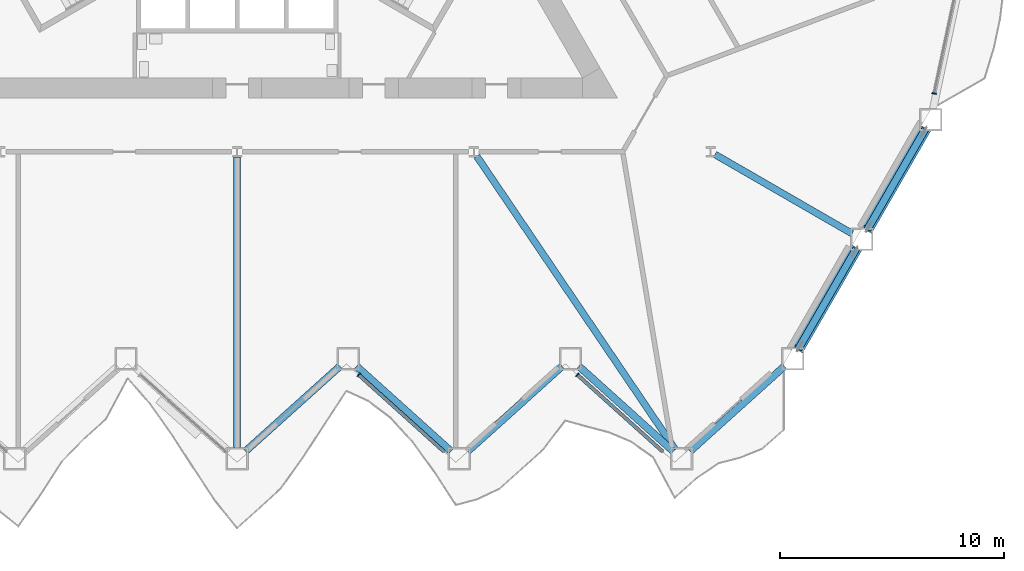
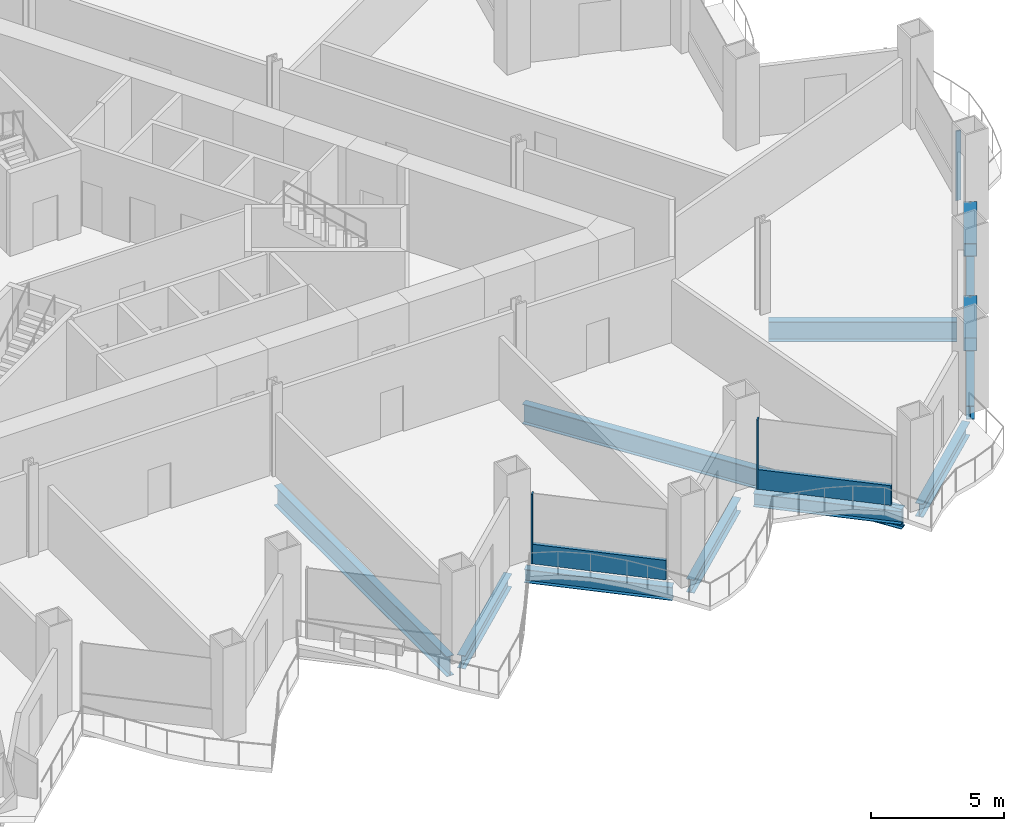
# One storey, part 4 of 20: 10 beams, 7 members, 3 elements without a shape of their own.
"""IFC4 building model written with IfcOpenShell, lengths in metres."""

from ifc_helpers import new_model, si_unit, direction, frame, origin, origin_2d, place, context, subcontext, project, spatial, rectangle, hollow_rectangle, i_section, extrude, material, layer, layer_set, material_profile, profile_set, type_object, element, aggregate, save


model = new_model("IFC4")

# Units and contexts
model_context = context("Model", 3, precision=1e-05, world=origin(), true_north=direction((0.0, 1.0)))
body_context = subcontext(model_context, "Body", "Model", "MODEL_VIEW")
ifc_project = project(units=[si_unit("LENGTHUNIT", "METRE"), si_unit("AREAUNIT", "SQUARE_METRE"), si_unit("VOLUMEUNIT", "CUBIC_METRE"), si_unit("PLANEANGLEUNIT", "RADIAN"), si_unit("MASSUNIT", "GRAM", prefix="KILO")], contexts=[model_context])

# Site, building, storey
site_placement = place(None, origin())
site = spatial("IfcSite", under=ifc_project, at=site_placement, CompositionType="ELEMENT")
building_placement = place(site_placement, origin())
building = spatial("IfcBuilding", under=site, at=building_placement, Name="Cormorant Prow Tower", CompositionType="ELEMENT")
storey_placement = place(building_placement, frame((0.0, 0.0, 59.39990234375)))
storey = spatial("IfcBuildingStorey", under=building, at=storey_placement, Name="L12", CompositionType="ELEMENT", Elevation=59.39990234375)

# Members
ifc_material_1 = material(Name="Structural steel ASTM A500 Gr C", Category="steel")
ifc_material_profile_1 = material_profile(ifc_material_1, hollow_rectangle(XDim=0.508056640625, YDim=0.508056640625, WallThickness=0.014892578125, at=origin_2d()), Name="HSS20x20x5/8")
ifc_profile_set_1 = profile_set([ifc_material_profile_1], Name="Structural steel ASTM A500 Gr C")
member_type_1 = type_object("IfcMemberType", Name="Chamfer brace HSS20x20x5/8", PredefinedType="BRACE", material=ifc_profile_set_1)
member_1_placement = place(storey_placement, frame((27.65576171875, -16.566162109375, 0.767333984375), z_axis=(-0.47589308504, -0.824244468952, 0.306833549359), x_axis=(0.866018434186, -0.500012071504, 0.0)))
element("IfcMember", 1, at=member_1_placement, inside=storey, type_object=member_type_1, Name="Chamfer brace BR1 at ESE00 L12", PredefinedType="BRACE", context=body_context, shape_type="SweptSolid", body=[
    extrude(hollow_rectangle(XDim=0.508056640625, YDim=0.508056640625, WallThickness=0.014892578125, at=origin_2d()), origin(), (0.0, 0.0, 1.0), 5.392333984375),
])
member_2_placement = place(storey_placement, frame((30.74072265625, -11.222900390625, 0.767333984375), z_axis=(-0.475875326044, -0.824258984489, 0.306822099191), x_axis=(0.866030326616, -0.499991473309, 0.0)))
element("IfcMember", 2, at=member_2_placement, inside=storey, type_object=member_type_1, Name="Chamfer brace BR1 at ESE01 L12", PredefinedType="BRACE", context=body_context, shape_type="SweptSolid", body=[
    extrude(hollow_rectangle(XDim=0.508056640625, YDim=0.508056640625, WallThickness=0.014892578125, at=origin_2d()), origin(), (0.0, 0.0, 1.0), 5.392578125),
])

# Curtain wall, member
ifc_material_2 = material(Name="Aluminium 6063-T6", Category="aluminium")
ifc_layer = layer(ifc_material_2, 0.199951171875)
ifc_layer_set = layer_set([ifc_layer], Name="Aluminium 6063-T6")
curtain_wall_type = type_object("IfcCurtainWallType", Name="Office unitised curtain wall 200", PredefinedType="NOTDEFINED", material=ifc_layer_set)
curtain_wall_1_placement = place(storey_placement, origin())
curtain_wall_1 = element("IfcCurtainWall", 3, at=curtain_wall_1_placement, inside=storey, type_object=curtain_wall_type, Name="Office curtain wall S06", PredefinedType="NOTDEFINED")
ifc_material_3 = material(Name="Aluminium 6063-T6", Category="aluminium")
ifc_material_profile_2 = material_profile(ifc_material_3, rectangle(XDim=0.199951171875, YDim=0.06005859375, at=origin_2d()), Name="Office mullion 60x200")
ifc_profile_set_2 = profile_set([ifc_material_profile_2], Name="Aluminium 6063-T6")
member_type_2 = type_object("IfcMemberType", Name="Office mullion 60x200", PredefinedType="MULLION", material=ifc_profile_set_2)
member_3_placement = place(storey_placement, frame((5.4326171875, -22.176513671875, 0.0), z_axis=(0.0, 0.0, 1.0), x_axis=(0.669130625166, 0.743144808544, 0.0)))
member_3 = element("IfcMember", 4, at=member_3_placement, type_object=member_type_2, Name="Office mullion S06", PredefinedType="MULLION", context=body_context, shape_type="SweptSolid", body=[
    extrude(rectangle(XDim=0.199951171875, YDim=0.06005859375, at=origin_2d()), origin(), (0.0, 0.0, 1.0), 3.18896484375),
])

curtain_wall_2_placement = place(storey_placement, origin())
curtain_wall_2 = element("IfcCurtainWall", 5, at=curtain_wall_2_placement, inside=storey, type_object=curtain_wall_type, Name="Office curtain wall S08", PredefinedType="NOTDEFINED")
member_4_placement = place(storey_placement, frame((15.2080078125, -22.176513671875, 0.0), z_axis=(0.0, 0.0, 1.0), x_axis=(0.669130625166, 0.743144808544, 0.0)))
member_4 = element("IfcMember", 6, at=member_4_placement, type_object=member_type_2, Name="Office mullion S08", PredefinedType="MULLION", context=body_context, shape_type="SweptSolid", body=[
    extrude(rectangle(XDim=0.199951171875, YDim=0.06005859375, at=origin_2d()), origin(), (0.0, 0.0, 1.0), 3.18896484375),
])

curtain_wall_3_placement = place(storey_placement, origin())
curtain_wall_3 = element("IfcCurtainWall", 7, at=curtain_wall_3_placement, inside=storey, type_object=curtain_wall_type, Name="Office curtain wall ENE00", PredefinedType="NOTDEFINED")
member_5_placement = place(storey_placement, frame((31.15234375, -9.604736328125, 0.0), z_axis=(0.0, 0.0, 1.0), x_axis=(-0.978147607222, 0.207911660293, 0.0)))
member_5 = element("IfcMember", 8, at=member_5_placement, type_object=member_type_2, Name="Office mullion ENE00", PredefinedType="MULLION", context=body_context, shape_type="SweptSolid", body=[
    extrude(rectangle(XDim=0.199951171875, YDim=0.06005859375, at=origin_2d()), origin(), (0.0, 0.0, 1.0), 3.18896484375),
])
aggregate(curtain_wall_3, [member_5])

# Member
ifc_material_4 = material(Name="Terracotta", Category="masonry")
ifc_material_profile_3 = material_profile(ifc_material_4, rectangle(XDim=0.159912109375, YDim=0.89990234375, at=origin_2d()), Name="Office terracotta spandrel rail 160x900")
ifc_profile_set_3 = profile_set([ifc_material_profile_3], Name="Terracotta")
member_type_3 = type_object("IfcMemberType", Name="Office terracotta spandrel rail 160x900", PredefinedType="USERDEFINED", material=ifc_profile_set_3)
member_6_placement = place(storey_placement, frame((5.454833984375, -22.196533203125, 0.4501953125), z_axis=(0.743156371999, -0.669117782425, 0.0), x_axis=(0.669117782425, 0.743156371999, 0.0)))
member_6 = element("IfcMember", 9, at=member_6_placement, type_object=member_type_3, Name="Office spandrel rail S06", ObjectType="TRANSOM", PredefinedType="USERDEFINED", context=body_context, shape_type="SweptSolid", body=[
    extrude(rectangle(XDim=0.159912109375, YDim=0.89990234375, at=origin_2d()), origin(), (0.0, 0.0, 1.0), 5.111083984375),
])

aggregate(curtain_wall_1, [member_3, member_6])

member_7_placement = place(storey_placement, frame((15.230224609375, -22.196533203125, 0.4501953125), z_axis=(0.743156371999, -0.669117782425, 0.0), x_axis=(0.669117782425, 0.743156371999, 0.0)))
member_7 = element("IfcMember", 10, at=member_7_placement, type_object=member_type_3, Name="Office spandrel rail S08", ObjectType="TRANSOM", PredefinedType="USERDEFINED", context=body_context, shape_type="SweptSolid", body=[
    extrude(rectangle(XDim=0.159912109375, YDim=0.89990234375, at=origin_2d()), origin(), (0.0, 0.0, 1.0), 5.111083984375),
])

aggregate(curtain_wall_2, [member_4, member_7])

# Beams
ifc_material_5 = material(Name="Structural steel ASTM A992 Gr 50", Category="steel")
ifc_material_profile_4 = material_profile(ifc_material_5, i_section(OverallWidth=0.3046875, OverallDepth=0.914794921875, WebThickness=0.0166015625, FlangeThickness=0.02587890625, at=origin_2d()), Name="W36x160")
ifc_profile_set_4 = profile_set([ifc_material_profile_4], Name="Structural steel ASTM A992 Gr 50")
beam_type_1 = type_object("IfcBeamType", Name="Radial floor beam W36x160", PredefinedType="BEAM", material=ifc_profile_set_4)
beam_1_placement = place(storey_placement, frame((0.0, -12.447265625, -0.857177734375), z_axis=(0.0, -1.0, 0.0), x_axis=(1.0, 0.0, 0.0)))
element("IfcBeam", 11, at=beam_1_placement, inside=storey, type_object=beam_type_1, Name="Radial floor beam FB1 7 L12", PredefinedType="BEAM", context=body_context, shape_type="SweptSolid", body=[
    extrude(i_section(OverallWidth=0.3046875, OverallDepth=0.914794921875, WebThickness=0.0166015625, FlangeThickness=0.02587890625, at=origin_2d()), origin(), (0.0, 0.0, 1.0), 12.984130859375),
])
beam_2_placement = place(storey_placement, frame((10.708740234375, -12.4072265625, -0.857177734375), z_axis=(0.560597160775, -0.828088656685, 0.0), x_axis=(0.828088656685, 0.560597160775, 0.0)))
element("IfcBeam", 12, at=beam_2_placement, inside=storey, type_object=beam_type_1, Name="Radial floor beam FB1 8 L12", PredefinedType="BEAM", context=body_context, shape_type="SweptSolid", body=[
    extrude(i_section(OverallWidth=0.3046875, OverallDepth=0.914794921875, WebThickness=0.0166015625, FlangeThickness=0.02587890625, at=origin_2d()), origin(), (0.0, 0.0, 1.0), 15.831787109375),
])
beam_3_placement = place(storey_placement, frame((21.358154296875, -12.3310546875, -0.857177734375), z_axis=(0.866014253463, -0.500019312426, 0.0), x_axis=(0.500019312426, 0.866014253463, 0.0)))
element("IfcBeam", 13, at=beam_3_placement, inside=storey, type_object=beam_type_1, Name="Radial floor beam FB1 9 L12", PredefinedType="BEAM", context=body_context, shape_type="SweptSolid", body=[
    extrude(i_section(OverallWidth=0.3046875, OverallDepth=0.914794921875, WebThickness=0.0166015625, FlangeThickness=0.02587890625, at=origin_2d()), origin(), (0.0, 0.0, 1.0), 7.071533203125),
])
ifc_material_6 = material(Name="Structural steel ASTM A992 Gr 50", Category="steel")
ifc_material_profile_5 = material_profile(ifc_material_6, i_section(OverallWidth=0.32373046875, OverallDepth=0.611083984375, WebThickness=0.0126953125, FlangeThickness=0.01904296875, at=origin_2d()), Name="W24x104")
ifc_profile_set_5 = profile_set([ifc_material_profile_5], Name="Structural steel ASTM A992 Gr 50")
beam_type_2 = type_object("IfcBeamType", Name="Spandrel beam W24x104", PredefinedType="SPANDREL", material=ifc_profile_set_5)
for number, where, z_axis, x_axis, name in (
    (14, (0.37158203125, -25.596923828125, -0.70556640625), (0.743129630386, 0.669147481833, 0.0), (-0.669147481833, 0.743129630386, 0.0), "Spandrel beam SB1 S05-S06 L12"),
    (15, (5.337646484375, -21.79443359375, -0.70556640625), (0.743129630386, -0.669147481833, 0.0), (0.669147481833, 0.743129630386, 0.0), "Spandrel beam SB1 S06-S07 L12"),
    (16, (10.3037109375, -25.596923828125, -0.70556640625), (0.743129630386, 0.669147481833, 0.0), (-0.669147481833, 0.743129630386, 0.0), "Spandrel beam SB1 S07-S08 L12"),
    (17, (15.269775390625, -21.79443359375, -0.70556640625), (0.743129630386, -0.669147481833, 0.0), (0.669147481833, 0.743129630386, 0.0), "Spandrel beam SB1 S08-S09 L12"),
    (18, (20.23583984375, -25.596923828125, -0.70556640625), (0.743129630386, 0.669147481833, 0.0), (-0.669147481833, 0.743129630386, 0.0), "Spandrel beam SB1 S09-ESE00 L12"),
):
    element("IfcBeam", number, at=place(storey_placement, frame(where, z_axis=z_axis, x_axis=x_axis)), inside=storey, type_object=beam_type_2, Name=name, PredefinedType="SPANDREL", context=body_context, shape_type="SweptSolid", body=[
        extrude(i_section(OverallWidth=0.32373046875, OverallDepth=0.611083984375, WebThickness=0.0126953125, FlangeThickness=0.01904296875, at=origin_2d()), origin(), (0.0, 0.0, 1.0), 5.6826171875),
    ])
for number, where, z_axis, x_axis, name in (
    (19, (25.080322265625, -21.02685546875, -0.70556640625), (0.500019507279, 0.866014140959, 0.0), (-0.866014140959, 0.500019507279, 0.0), "Spandrel beam SB1 ESE00-ESE01 L12"),
    (20, (28.165283203125, -15.683837890625, -0.70556640625), (0.49998408811, 0.866034590324, 0.0), (-0.866034590324, 0.49998408811, 0.0), "Spandrel beam SB1 ESE01-ENE00 L12"),
):
    element("IfcBeam", number, at=place(storey_placement, frame(where, z_axis=z_axis, x_axis=x_axis)), inside=storey, type_object=beam_type_2, Name=name, PredefinedType="SPANDREL", context=body_context, shape_type="SweptSolid", body=[
        extrude(i_section(OverallWidth=0.32373046875, OverallDepth=0.611083984375, WebThickness=0.0126953125, FlangeThickness=0.01904296875, at=origin_2d()), origin(), (0.0, 0.0, 1.0), 5.169677734375),
    ])

save(model, "model.ifc")
